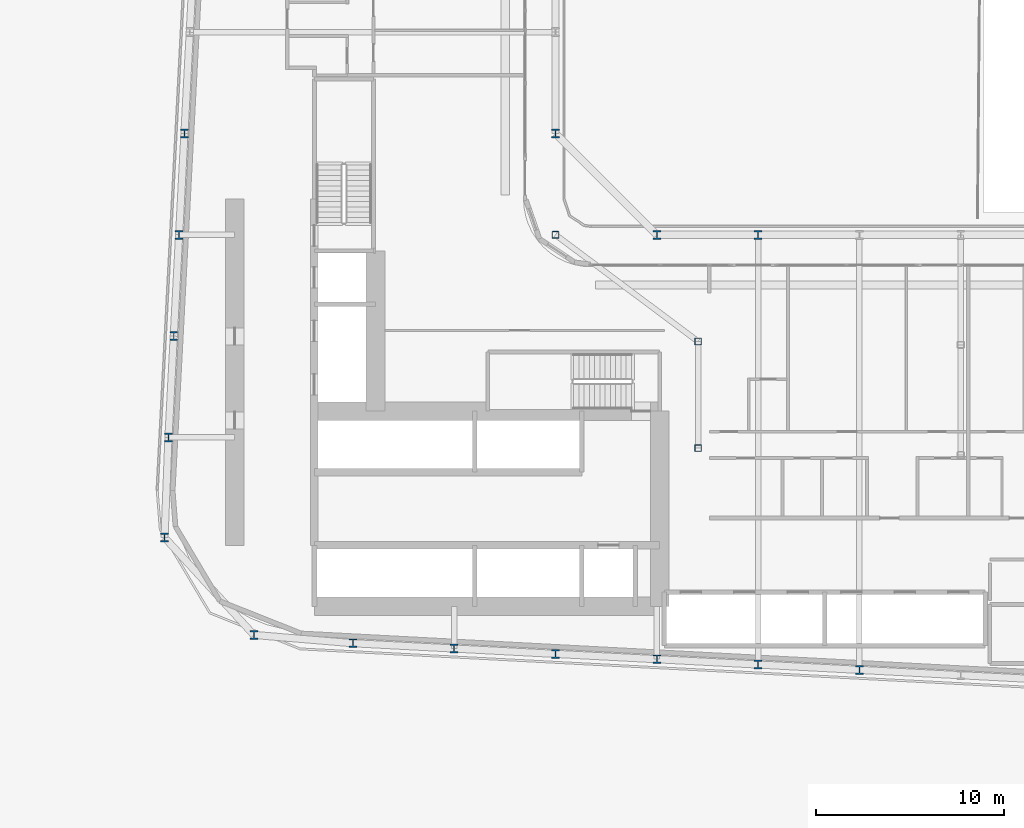
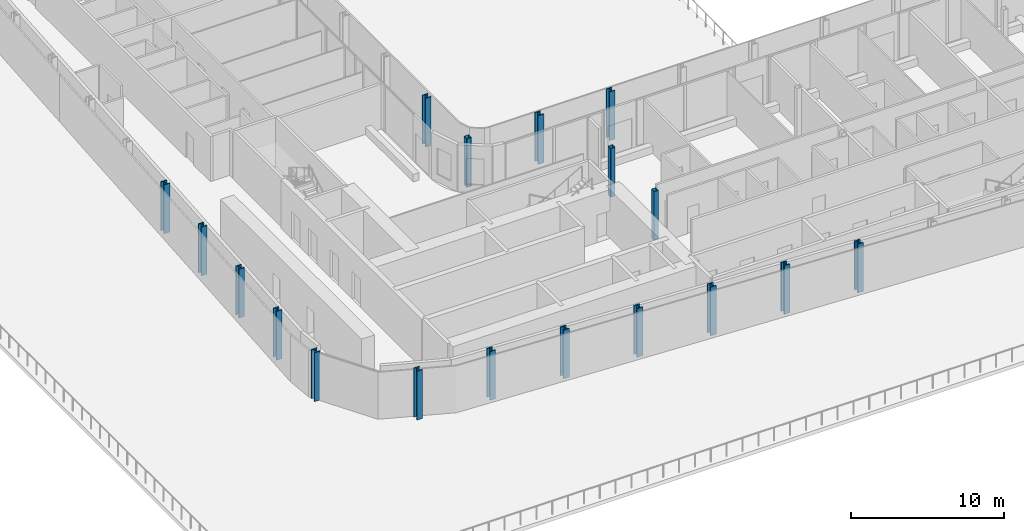
# One storey, part 1 of 27: 18 columns.
"""IFC4 building model written with IfcOpenShell, lengths in metres."""

from ifc_helpers import new_model, si_unit, direction, frame, origin, origin_2d, place, context, subcontext, project, spatial, hollow_rectangle, i_section, extrude, material, material_profile, profile_set, type_object, element, save


model = new_model("IFC4")

# Units and contexts
model_context = context("Model", 3, precision=1e-05, world=origin(), true_north=direction((0.0, 1.0)))
body_context = subcontext(model_context, "Body", "Model", "MODEL_VIEW")
ifc_project = project(units=[si_unit("LENGTHUNIT", "METRE"), si_unit("AREAUNIT", "SQUARE_METRE"), si_unit("VOLUMEUNIT", "CUBIC_METRE"), si_unit("PLANEANGLEUNIT", "RADIAN"), si_unit("MASSUNIT", "GRAM", prefix="KILO")], contexts=[model_context])

# Site, building, storey
site_placement = place(None, origin())
site = spatial("IfcSite", under=ifc_project, at=site_placement, CompositionType="ELEMENT")
building_placement = place(site_placement, origin())
building = spatial("IfcBuilding", under=site, at=building_placement, Name="Kheshtan School and Residences Tower", CompositionType="ELEMENT")
storey_placement = place(building_placement, frame((0.0, 0.0, 30.5)))
storey = spatial("IfcBuildingStorey", under=building, at=storey_placement, Name="L06", CompositionType="ELEMENT", Elevation=30.5)

# Columns
ifc_material_1 = material(Name="Steel ASTM A992 Grade 50", Category="steel")
ifc_material_profile_1 = material_profile(ifc_material_1, i_section(OverallWidth=0.424072265625, OverallDepth=0.47412109375, WebThickness=0.047607421875, FlangeThickness=0.0771484375, FilletRadius=0.01416015625, at=origin_2d()), Name="W360x634")
ifc_profile_set_1 = profile_set([ifc_material_profile_1], Name="Steel ASTM A992 Grade 50")
column_type_1 = type_object("IfcColumnType", Name="Column C1 W360x634 ASTM A992 Grade 50", PredefinedType="COLUMN", material=ifc_profile_set_1)
for number, where, z_axis, x_axis, name in (
    (1, (63.800048828125, 22.410888671875, 0.0), (0.0, 0.0, 1.0), (1.0, 0.0, 0.0), "Column C016"),
    (2, (58.39990234375, 22.695068359375, 0.0), (0.0, 0.0, 1.0), (1.0, 0.0, 0.0), "Column C018"),
    (3, (53.0, 22.97998046875, 0.0), (0.0, 0.0, 1.0), (1.0, 0.0, 0.0), "Column C019"),
    (4, (47.60009765625, 23.263916015625, 0.0), (0.0, 0.0, 1.0), (1.0, 0.0, 0.0), "Column C020"),
    (5, (42.199951171875, 23.548095703125, 0.0), (0.0, 0.0, 1.0), (1.0, 0.0, 0.0), "Column C021"),
    (6, (36.800048828125, 23.83203125, 0.0), (0.0, 0.0, 1.0), (1.0, 0.0, 0.0), "Column C022"),
    (7, (31.52197265625, 24.27490234375, 0.0), (0.0, 0.0, 1.0), (1.0, 0.0, 0.0), "Column C028"),
    (8, (26.761962890625, 29.464111328125, 0.0), (0.0, 0.0, 1.0), (1.0, 0.0, 0.0), "Column C041"),
    (9, (26.968994140625, 34.800048828125, 0.0), (0.0, 0.0, 1.0), (1.0, 0.0, 0.0), "Column C052"),
    (10, (27.2529296875, 40.199951171875, 0.0), (0.0, 0.0, 1.0), (1.0, 0.0, 0.0), "Column C056"),
    (11, (27.537109375, 45.60009765625, 0.0), (0.0, 0.0, 1.0), (1.0, 0.0, 0.0), "Column C059"),
    (12, (53.0, 45.60009765625, 0.0), (0.0, 0.0, 1.0), (1.0, 0.0, 0.0), "Column C061"),
    (13, (58.39990234375, 45.60009765625, 0.0), (0.0, 0.0, 1.0), (1.0, 0.0, 0.0), "Column C062"),
    (14, (27.822021484375, 51.0, 0.0), (0.0, 0.0, 1.0), (1.0, 0.0, 0.0), "Column C078"),
    (15, (47.60009765625, 51.0, 0.0), (0.0, 0.0, 1.0), (1.0, 0.0, 0.0), "Column C079"),
):
    element("IfcColumn", number, at=place(storey_placement, frame(where, z_axis=z_axis, x_axis=x_axis)), inside=storey, type_object=column_type_1, Name=name, PredefinedType="COLUMN", context=body_context, shape_type="SweptSolid", body=[
        extrude(i_section(OverallWidth=0.424072265625, OverallDepth=0.47412109375, WebThickness=0.047607421875, FlangeThickness=0.0771484375, FilletRadius=0.01416015625, at=origin_2d()), origin(), (0.0, 0.0, 1.0), 3.89990234375),
    ])
ifc_material_2 = material(Name="Steel ASTM A500 Grade C", Category="steel")
ifc_material_profile_2 = material_profile(ifc_material_2, hollow_rectangle(XDim=0.35595703125, YDim=0.35595703125, WallThickness=0.015869140625, InnerFilletRadius=0.015869140625, OuterFilletRadius=0.03173828125, at=origin_2d()), Name="HSS 356x356x15.9")
ifc_profile_set_2 = profile_set([ifc_material_profile_2], Name="Steel ASTM A500 Grade C")
column_type_2 = type_object("IfcColumnType", Name="Column IC1 HSS 356x356x15.9 ASTM A500 Grade C", PredefinedType="COLUMN", material=ifc_profile_set_2)
for number, where, z_axis, x_axis, name in (
    (16, (55.199951171875, 34.23193359375, 0.0), (0.0, 0.0, 1.0), (1.0, 0.0, 0.0), "Column C051"),
    (17, (55.199951171875, 39.916015625, 0.0), (0.0, 0.0, 1.0), (1.0, 0.0, 0.0), "Column C055"),
    (18, (47.60009765625, 45.60009765625, 0.0), (0.0, 0.0, 1.0), (1.0, 0.0, 0.0), "Column C060"),
):
    element("IfcColumn", number, at=place(storey_placement, frame(where, z_axis=z_axis, x_axis=x_axis)), inside=storey, type_object=column_type_2, Name=name, PredefinedType="COLUMN", context=body_context, shape_type="SweptSolid", body=[
        extrude(hollow_rectangle(XDim=0.35595703125, YDim=0.35595703125, WallThickness=0.015869140625, InnerFilletRadius=0.015869140625, OuterFilletRadius=0.03173828125, at=origin_2d()), origin(), (0.0, 0.0, 1.0), 3.89990234375),
    ])

save(model, "model.ifc")
